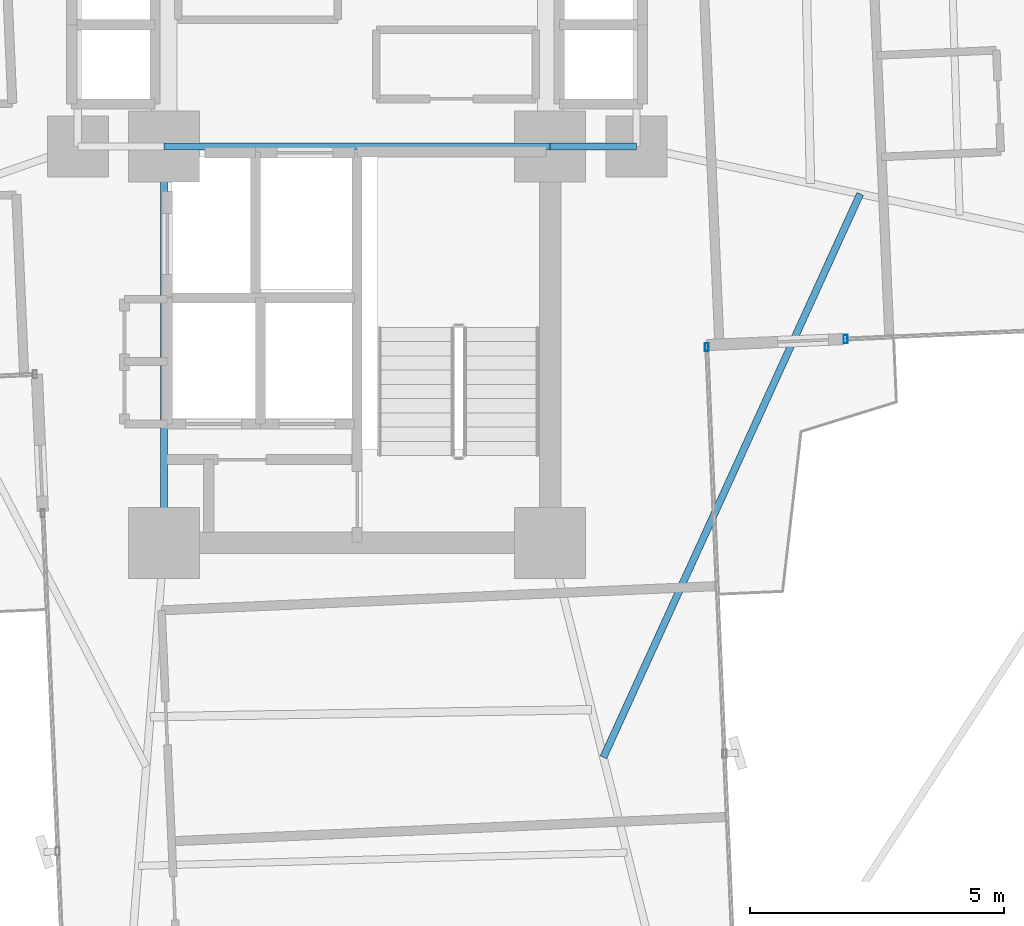
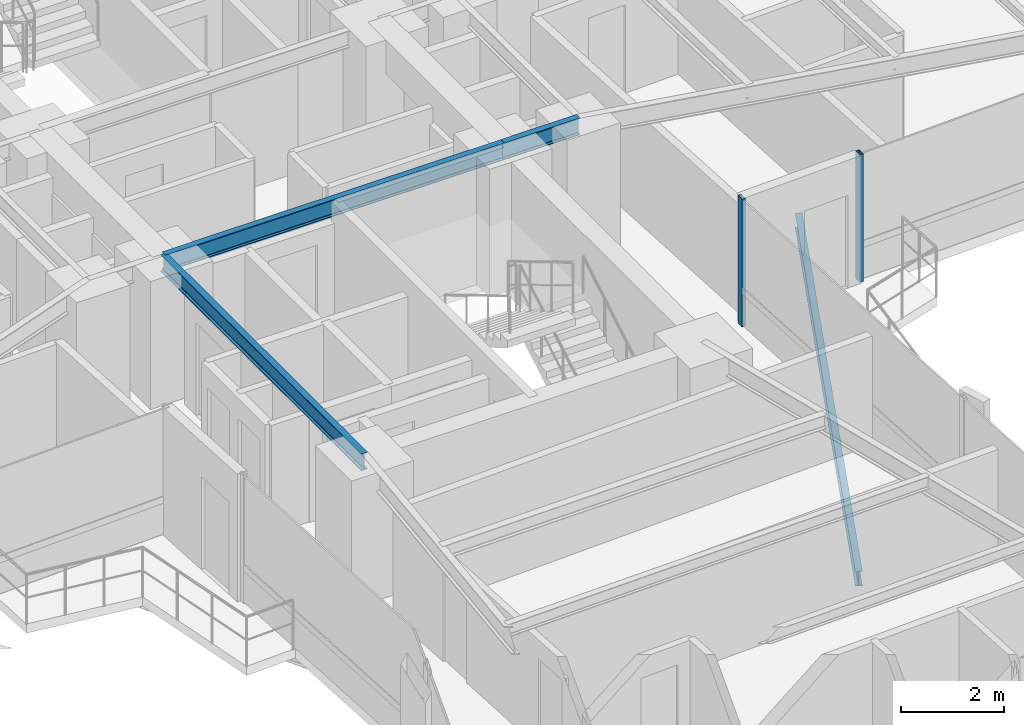
# One storey, part 11 of 26: 4 beams, 2 members, 2 elements without a shape of their own.
"""IFC4 building model written with IfcOpenShell, lengths in metres."""

from ifc_helpers import new_model, si_unit, direction, frame, origin, origin_2d, place, context, subcontext, project, spatial, hollow_rectangle, i_section, extrude, source, transform, mapped, material, material_profile, profile_set, type_object, element, aggregate, save


model = new_model("IFC4")

# Units and contexts
model_context = context("Model", 3, precision=1e-05, world=origin(), true_north=direction((0.0, 1.0)))
body_context = subcontext(model_context, "Body", "Model", "MODEL_VIEW")
ifc_project = project(units=[si_unit("LENGTHUNIT", "METRE"), si_unit("AREAUNIT", "SQUARE_METRE"), si_unit("VOLUMEUNIT", "CUBIC_METRE"), si_unit("PLANEANGLEUNIT", "RADIAN"), si_unit("MASSUNIT", "GRAM", prefix="KILO")], contexts=[model_context])

# Site, building, storey
site_placement = place(None, origin())
site = spatial("IfcSite", under=ifc_project, at=site_placement, CompositionType="ELEMENT")
building_placement = place(site_placement, origin())
building = spatial("IfcBuilding", under=site, at=building_placement, Name="Sahyath Konkavel Grand Hotel", CompositionType="ELEMENT")
storey_placement = place(building_placement, frame((0.0, 0.0, 134.89990234375)))
storey = spatial("IfcBuildingStorey", under=building, at=storey_placement, Name="L37", CompositionType="ELEMENT", Elevation=134.89990234375)

# Beams
ifc_material_1 = material(Name="Steel E350", Category="steel")
ifc_material_profile_1 = material_profile(ifc_material_1, i_section(OverallWidth=0.139892578125, OverallDepth=0.39990234375, WebThickness=0.0087890625, FlangeThickness=0.01611328125, FilletRadius=0.013916015625, at=origin_2d()), Name="ISMB 400")
ifc_profile_set_1 = profile_set([ifc_material_profile_1], Name="Steel E350")
beam_type_1 = type_object("IfcBeamType", Name="BM-ISMB400", PredefinedType="BEAM", material=ifc_profile_set_1)
shared_shape_1 = source(origin(), body_context, "Body", "SweptSolid", [
    extrude(i_section(OverallWidth=0.139892578125, OverallDepth=0.39990234375, WebThickness=0.0087890625, FlangeThickness=0.01611328125, FilletRadius=0.013916015625, at=origin_2d()), origin(), (0.0, 0.0, 1.0), 7.60009765625),
])
beam_1_placement = place(storey_placement, frame((-3.800048828125, -2.39990234375, 2.830078125), z_axis=(1.0, 0.0, 0.0), x_axis=(0.0, 1.0, 0.0)))
element("IfcBeam", 1, at=beam_1_placement, inside=storey, type_object=beam_type_1, Name="str:bm:L37:SC-N", PredefinedType="BEAM", context=body_context, shape_type="MappedRepresentation", body=[
    mapped(shared_shape_1, transform((0.0, 0.0, 0.0), scale=1.0)),
])
shared_shape_2 = source(origin(), body_context, "Body", "SweptSolid", [
    extrude(i_section(OverallWidth=0.139892578125, OverallDepth=0.39990234375, WebThickness=0.0087890625, FlangeThickness=0.01611328125, FilletRadius=0.013916015625, at=origin_2d()), origin(), (0.0, 0.0, 1.0), 7.800048828125),
])
beam_2_placement = place(storey_placement, frame((-3.800048828125, -10.199951171875, 2.830078125), z_axis=(0.0, 1.0, 0.0), x_axis=(-1.0, 0.0, 0.0)))
element("IfcBeam", 2, at=beam_2_placement, inside=storey, type_object=beam_type_1, Name="str:bm:L37:SC-W", PredefinedType="BEAM", context=body_context, shape_type="MappedRepresentation", body=[
    mapped(shared_shape_2, transform((0.0, 0.0, 0.0), scale=1.0)),
])
shared_shape_3 = source(origin(), body_context, "Body", "SweptSolid", [
    extrude(i_section(OverallWidth=0.139892578125, OverallDepth=0.39990234375, WebThickness=0.0087890625, FlangeThickness=0.01611328125, FilletRadius=0.013916015625, at=origin_2d()), origin(), (0.0, 0.0, 1.0), 1.699951171875),
])
beam_3_placement = place(storey_placement, frame((3.800048828125, -2.39990234375, 2.830078125), z_axis=(1.0, 0.0, 0.0), x_axis=(0.0, 1.0, 0.0)))
element("IfcBeam", 3, at=beam_3_placement, inside=storey, type_object=beam_type_1, Name="str:bm:L37:HB-SE", PredefinedType="BEAM", context=body_context, shape_type="MappedRepresentation", body=[
    mapped(shared_shape_3, transform((0.0, 0.0, 0.0), scale=1.0)),
])

# Curtain wall, member
ifc_material_2 = material(Name="Anodised Bronze Aluminium & Low-E Glazing", Category="aluminium")
curtain_wall_type = type_object("IfcCurtainWallType", Name="CW-ZONE2", PredefinedType="NOTDEFINED", material=ifc_material_2)
curtain_wall_1_placement = place(storey_placement, origin())
curtain_wall_1 = element("IfcCurtainWall", 4, at=curtain_wall_1_placement, inside=storey, type_object=curtain_wall_type, Name="L37 Unitised Curtain Wall F0", PredefinedType="NOTDEFINED")
ifc_material_3 = material(Name="Anodised Bronze Aluminium", Category="aluminium")
ifc_material_profile_2 = material_profile(ifc_material_3, hollow_rectangle(XDim=0.080078125, YDim=0.159912109375, WallThickness=0.006103515625, at=origin_2d()), Name="RHS 160x80x6")
ifc_profile_set_2 = profile_set([ifc_material_profile_2], Name="Anodised Bronze Aluminium")
member_type = type_object("IfcMemberType", Name="CW-MUL-160", PredefinedType="MULLION", material=ifc_profile_set_2)
shared_shape_4 = source(origin(), body_context, "Body", "SweptSolid", [
    extrude(hollow_rectangle(XDim=0.080078125, YDim=0.159912109375, WallThickness=0.006103515625, at=origin_2d()), origin(), (0.0, 0.0, 1.0), 3.030029296875),
])
member_1_placement = place(storey_placement, frame((9.618896484375, -6.186279296875, 0.0), z_axis=(0.0, 0.0, 1.0), x_axis=(1.0, 0.0, 0.0)))
member_1 = element("IfcMember", 5, at=member_1_placement, type_object=member_type, Name="L37 Curtain Wall Mullion F0-0", PredefinedType="MULLION", context=body_context, shape_type="MappedRepresentation", body=[
    mapped(shared_shape_4, transform((0.0, 0.0, 0.0), scale=1.0)),
])
aggregate(curtain_wall_1, [member_1])

curtain_wall_2_placement = place(storey_placement, origin())
curtain_wall_2 = element("IfcCurtainWall", 6, at=curtain_wall_2_placement, inside=storey, type_object=curtain_wall_type, Name="L37 Unitised Curtain Wall F31", PredefinedType="NOTDEFINED")
member_2_placement = place(storey_placement, frame((6.88330078125, -6.345703125, 0.0), z_axis=(0.0, 0.0, 1.0), x_axis=(1.0, 0.0, 0.0)))
member_2 = element("IfcMember", 7, at=member_2_placement, type_object=member_type, Name="L37 Curtain Wall Mullion F31-2", PredefinedType="MULLION", context=body_context, shape_type="MappedRepresentation", body=[
    mapped(shared_shape_4, transform((0.0, 0.0, 0.0), scale=1.0)),
])
aggregate(curtain_wall_2, [member_2])

# Beam
ifc_material_profile_3 = material_profile(ifc_material_1, i_section(OverallWidth=0.139892578125, OverallDepth=0.35009765625, WebThickness=0.008056640625, FlangeThickness=0.01416015625, FilletRadius=0.013916015625, at=origin_2d()), Name="ISMB 350")
ifc_profile_set_3 = profile_set([ifc_material_profile_3], Name="Steel E350")
beam_type_2 = type_object("IfcBeamType", Name="BM-BALC-CANT", PredefinedType="BEAM", material=ifc_profile_set_3)
shared_shape_5 = source(origin(), body_context, "Body", "SweptSolid", [
    extrude(i_section(OverallWidth=0.139892578125, OverallDepth=0.35009765625, WebThickness=0.008056640625, FlangeThickness=0.01416015625, FilletRadius=0.013916015625, at=origin_2d()), origin(), (0.0, 0.0, 1.0), 12.190673828125),
])
beam_4_placement = place(storey_placement, frame((4.8486328125, -14.422119140625, -0.414794921875), z_axis=(0.414712580086, 0.909952458054, 0.0), x_axis=(-0.909952458054, 0.414712580086, 0.0)))
element("IfcBeam", 8, at=beam_4_placement, inside=storey, type_object=beam_type_2, Name="L37 Balcony Cantilever Support Beam SE", PredefinedType="BEAM", context=body_context, shape_type="MappedRepresentation", body=[
    mapped(shared_shape_5, transform((0.0, 0.0, 0.0), scale=1.0)),
])

save(model, "model.ifc")
